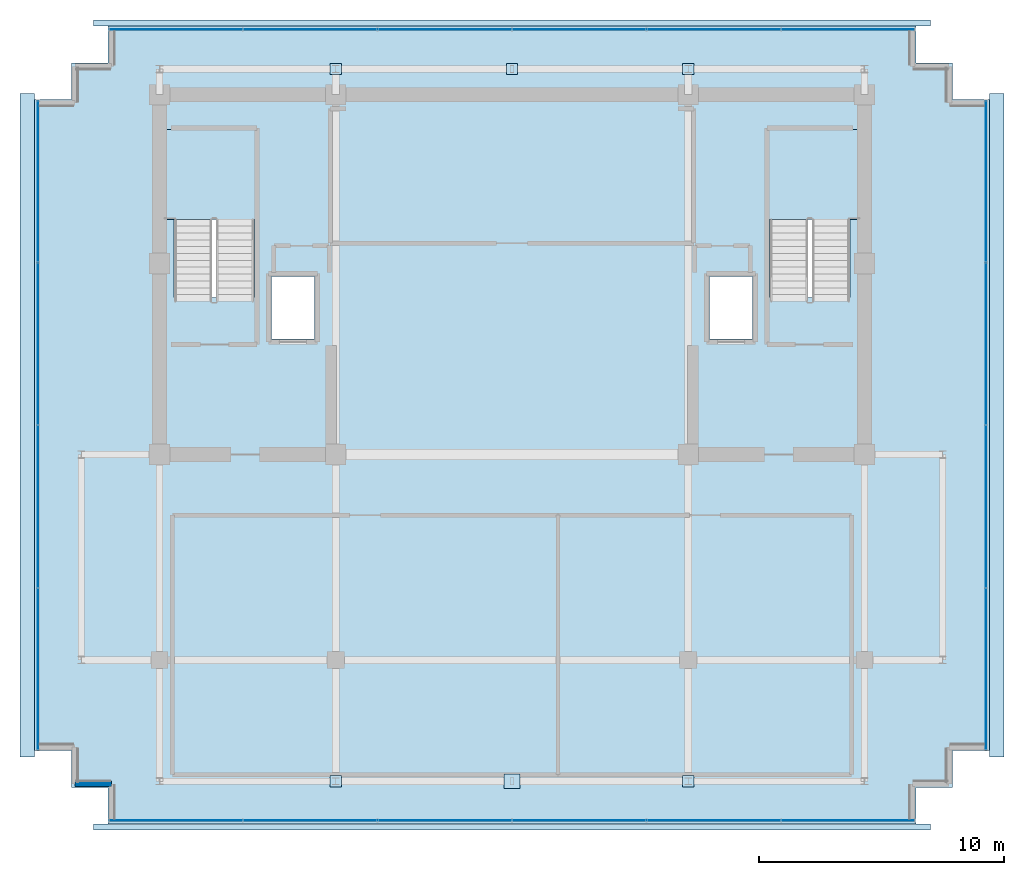
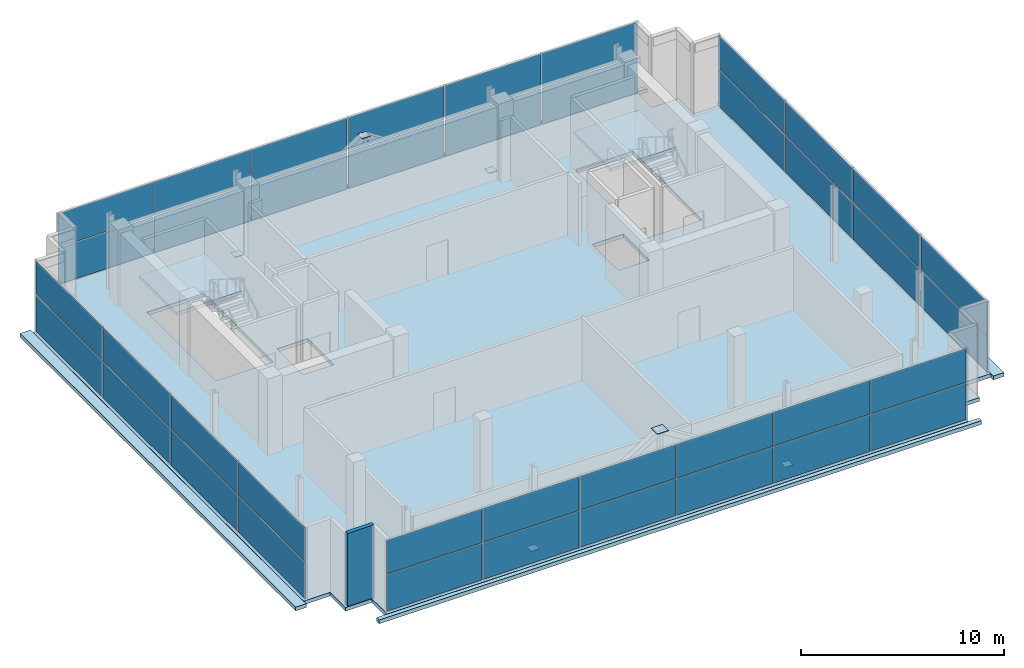
# One storey, part 22 of 26: 46 plates, 7 slabs, 1 wall, 6 elements without a shape of their own.
"""IFC4 building model written with IfcOpenShell, lengths in metres."""

from ifc_helpers import new_model, si_unit, direction, frame, frame_2d, origin, origin_2d, place, context, subcontext, project, spatial, polyline, rectangle, outline, extrude, source, transform, mapped, material, layer, layer_set, type_object, element, aggregate, save


model = new_model("IFC4")

# Units and contexts
model_context = context("Model", 3, precision=1e-05, world=origin(), true_north=direction((0.0, 1.0)))
body_context = subcontext(model_context, "Body", "Model", "MODEL_VIEW")
ifc_project = project(units=[si_unit("LENGTHUNIT", "METRE"), si_unit("AREAUNIT", "SQUARE_METRE"), si_unit("VOLUMEUNIT", "CUBIC_METRE"), si_unit("PLANEANGLEUNIT", "RADIAN"), si_unit("MASSUNIT", "GRAM", prefix="KILO")], contexts=[model_context])

# Site, building, storey
site_placement = place(None, origin())
site = spatial("IfcSite", under=ifc_project, at=site_placement, CompositionType="ELEMENT")
building_placement = place(site_placement, origin())
building = spatial("IfcBuilding", under=site, at=building_placement, Name="Zarnakvel Exchange Tower", CompositionType="ELEMENT")
storey_placement = place(building_placement, frame((0.0, 0.0, 280.800048828125)))
storey = spatial("IfcBuildingStorey", under=building, at=storey_placement, Name="Crown L79", CompositionType="ELEMENT", Elevation=280.800048828125)

# Stair, slab
ifc_material_1 = material(Name="Concrete C40/50", Category="concrete")
stair_type = type_object("IfcStairType", Name="STR-01", PredefinedType="HALF_TURN_STAIR", material=ifc_material_1)
stair_1_placement = place(storey_placement, origin())
stair_1 = element("IfcStair", 1, at=stair_1_placement, inside=storey, type_object=stair_type, Name="Crown L79 Protected Core Exit Stair ST-01", PredefinedType="HALF_TURN_STAIR")
ifc_layer_1 = layer(ifc_material_1, 0.199951171875)
ifc_layer_set_1 = layer_set([ifc_layer_1], Name="Concrete C40/50")
slab_type_1 = type_object("IfcSlabType", Name="LDG-01", PredefinedType="LANDING", material=ifc_layer_set_1)
slab_1_placement = place(storey_placement, frame((0.0, 0.0, 2.099853515625)))
slab_1 = element("IfcSlab", 2, at=slab_1_placement, type_object=slab_type_1, Name="ST-01 landing 1", PredefinedType="LANDING", context=body_context, shape_type="SweptSolid", body=[
    extrude(outline(polyline([(-14.18994140625, 8.409912109375), (-10.4599609375, 8.409912109375), (-10.4599609375, 12.080078125), (-14.18994140625, 12.080078125), (-14.18994140625, 8.409912109375)])), origin(), (0.0, 0.0, 1.0), 0.2001953125),
])
aggregate(stair_1, [slab_1])

stair_2_placement = place(storey_placement, origin())
stair_2 = element("IfcStair", 3, at=stair_2_placement, inside=storey, type_object=stair_type, Name="Crown L79 Protected Core Exit Stair ST-02", PredefinedType="HALF_TURN_STAIR")
slab_2_placement = place(storey_placement, frame((0.0, 0.0, 2.099853515625)))
slab_2 = element("IfcSlab", 4, at=slab_2_placement, type_object=slab_type_1, Name="ST-02 landing 1", PredefinedType="LANDING", context=body_context, shape_type="SweptSolid", body=[
    extrude(outline(polyline([(10.4599609375, 8.409912109375), (14.18994140625, 8.409912109375), (14.18994140625, 12.080078125), (10.4599609375, 12.080078125), (10.4599609375, 8.409912109375)])), origin(), (0.0, 0.0, 1.0), 0.2001953125),
])
aggregate(stair_2, [slab_2])

# Slabs
ifc_layer_2 = layer(ifc_material_1, 0.22998046875)
ifc_layer_set_2 = layer_set([ifc_layer_2], Name="Concrete C40/50")
slab_type_2 = type_object("IfcSlabType", Name="RF-SL1", PredefinedType="ROOF", material=ifc_layer_set_2)
slab_3_placement = place(storey_placement, frame((0.0, 0.0, -0.22998046875)))
element("IfcSlab", 5, at=slab_3_placement, inside=storey, type_object=slab_type_2, Name="Crown L79 Stepped Crown Tier Roof Slab #1", PredefinedType="ROOF", context=body_context, shape_type="SweptSolid", body=[
    extrude(outline(polyline([(17.10009765625, -16.550048828125), (-17.10009765625, -16.550048828125), (-17.10009765625, -16.300048828125), (-16.510009765625, -16.300048828125), (-16.510009765625, -16.31005859375), (16.510009765625, -16.31005859375), (16.510009765625, -16.300048828125), (17.10009765625, -16.300048828125), (17.10009765625, -16.550048828125)])), origin(), (0.0, 0.0, 1.0), 0.22998046875),
])
slab_4_placement = place(storey_placement, frame((0.0, 0.0, -0.22998046875)))
element("IfcSlab", 6, at=slab_4_placement, inside=storey, type_object=slab_type_2, Name="Crown L79 Stepped Crown Tier Roof Slab #2", PredefinedType="ROOF", context=body_context, shape_type="SweptSolid", body=[
    extrude(outline(polyline([(-17.10009765625, 16.550048828125), (17.10009765625, 16.550048828125), (17.10009765625, 16.300048828125), (16.510009765625, 16.300048828125), (16.510009765625, 16.31005859375), (-16.510009765625, 16.31005859375), (-16.510009765625, 16.300048828125), (-17.10009765625, 16.300048828125), (-17.10009765625, 16.550048828125)])), origin(), (0.0, 0.0, 1.0), 0.22998046875),
])
slab_5_placement = place(storey_placement, frame((0.0, 0.0, -0.22998046875)))
element("IfcSlab", 7, at=slab_5_placement, inside=storey, type_object=slab_type_2, Name="Crown L79 Stepped Crown Tier Roof Slab #3", PredefinedType="ROOF", context=body_context, shape_type="SweptSolid", body=[
    extrude(outline(polyline([(-19.5, 13.550048828125), (-19.5, 13.31005859375), (-19.510009765625, 13.31005859375), (-19.510009765625, -13.31005859375), (-19.5, -13.31005859375), (-19.5, -13.550048828125), (-20.10009765625, -13.550048828125), (-20.10009765625, 13.550048828125), (-19.5, 13.550048828125)])), origin(), (0.0, 0.0, 1.0), 0.22998046875),
])
slab_6_placement = place(storey_placement, frame((0.0, 0.0, -0.22998046875)))
element("IfcSlab", 8, at=slab_6_placement, inside=storey, type_object=slab_type_2, Name="Crown L79 Stepped Crown Tier Roof Slab #4", PredefinedType="ROOF", context=body_context, shape_type="SweptSolid", body=[
    extrude(outline(polyline([(20.10009765625, 13.550048828125), (20.10009765625, -13.550048828125), (19.5, -13.550048828125), (19.5, -13.31005859375), (19.510009765625, -13.31005859375), (19.510009765625, 13.31005859375), (19.5, 13.31005859375), (19.5, 13.550048828125), (20.10009765625, 13.550048828125)])), origin(), (0.0, 0.0, 1.0), 0.22998046875),
])
ifc_layer_3 = layer(ifc_material_1, 0.219970703125)
ifc_layer_set_3 = layer_set([ifc_layer_3], Name="Concrete C40/50")
slab_type_3 = type_object("IfcSlabType", Name="SL-05", PredefinedType="FLOOR", material=ifc_layer_set_3)
slab_7_placement = place(storey_placement, frame((0.0, 0.0, -0.219970703125)))
element("IfcSlab", 9, at=slab_7_placement, inside=storey, type_object=slab_type_3, Name="Crown L79 Primary Structural Floor Slab", PredefinedType="FLOOR", context=body_context, shape_type="SweptSolid", body=[
    extrude(outline(polyline([(-19.5, -13.300048828125), (-18.0, -13.300048828125), (-18.0, -14.800048828125), (-16.5, -14.800048828125), (-16.5, -16.300048828125), (16.5, -16.300048828125), (16.5, -14.800048828125), (18.0, -14.800048828125), (18.0, -13.300048828125), (19.5, -13.300048828125), (19.5, 13.300048828125), (18.0, 13.300048828125), (18.0, 14.800048828125), (16.5, 14.800048828125), (16.5, 16.300048828125), (-16.5, 16.300048828125), (-16.5, 14.800048828125), (-18.0, 14.800048828125), (-18.0, 13.300048828125), (-19.5, 13.300048828125), (-19.5, -13.300048828125)]), holes=[polyline([(-13.800048828125, 5.2099609375), (-10.5400390625, 5.2099609375), (-10.5400390625, 12.0), (-13.800048828125, 12.0), (-13.800048828125, 5.2099609375)]), polyline([(10.5400390625, 5.2099609375), (13.800048828125, 5.2099609375), (13.800048828125, 12.0), (10.5400390625, 12.0), (10.5400390625, 5.2099609375)]), polyline([(-9.830078125, 3.52001953125), (-8.070068359375, 3.52001953125), (-8.070068359375, 6.080078125), (-9.830078125, 6.080078125), (-9.830078125, 3.52001953125)]), polyline([(8.070068359375, 3.52001953125), (9.830078125, 3.52001953125), (9.830078125, 6.080078125), (8.070068359375, 6.080078125), (8.070068359375, 3.52001953125)])]), origin(), (0.0, 0.0, 1.0), 0.219970703125),
])

# Plates
ifc_material_2 = material(Name="Steel S355", Category="steel")
ifc_layer_4 = layer(ifc_material_2, 0.028076171875)
ifc_layer_set_4 = layer_set([ifc_layer_4], Name="Steel S355")
plate_type_1 = type_object("IfcPlateType", Name="VN3", PredefinedType="USERDEFINED", material=ifc_layer_set_4)
shared_shape_1 = source(origin(), body_context, "Body", "SweptSolid", [
    extrude(rectangle(XDim=0.64990234375, YDim=0.60009765625, at=origin_2d()), origin(), (0.0, 0.0, 1.0), 0.028076171875),
])
plate_1_placement = place(storey_placement, frame((0.0, -14.550048828125, 4.22607421875), z_axis=(0.0, 0.0, 1.0), x_axis=(1.0, 0.0, 0.0)))
element("IfcPlate", 10, at=plate_1_placement, inside=storey, type_object=plate_type_1, Name="Crown L79 Stepped Crown Gusset VN3", ObjectType="GUSSET_PLATE", PredefinedType="USERDEFINED", context=body_context, shape_type="MappedRepresentation", body=[
    mapped(shared_shape_1, transform((0.0, 0.0, 0.0), x_axis=(1.0, 0.0, 0.0), y_axis=(0.0, 1.0, 0.0), z_axis=(0.0, 0.0, 1.0), scale=1.0)),
])
ifc_layer_5 = layer(ifc_material_2, 0.028076171875)
ifc_layer_set_5 = layer_set([ifc_layer_5], Name="Steel S355")
plate_type_2 = type_object("IfcPlateType", Name="BP-02", PredefinedType="USERDEFINED", material=ifc_layer_set_5)
shared_shape_2 = source(origin(), body_context, "Body", "SweptSolid", [
    extrude(rectangle(XDim=0.4599609375, YDim=0.4599609375, at=origin_2d()), origin(), (0.0, 0.0, 1.0), 0.028076171875),
])
for number, where, z_axis, x_axis, name in (
    (11, (-7.199951171875, -14.550048828125, -0.3740234375), (0.0, 0.0, 1.0), (1.0, 0.0, 0.0), "Crown L79 Crown Member End Cap Plate"),
    (12, (7.199951171875, -14.550048828125, -0.3740234375), (0.0, 0.0, 1.0), (1.0, 0.0, 0.0), "Crown L79 Crown Member End Cap Plate"),
    (13, (-7.199951171875, 14.550048828125, -0.3740234375), (0.0, 0.0, 1.0), (1.0, 0.0, 0.0), "Crown L79 Crown Member End Cap Plate"),
    (14, (0.0, 14.550048828125, 4.22607421875), (0.0, 0.0, 1.0), (1.0, 0.0, 0.0), "Crown L79 Crown Member End Cap Plate"),
    (15, (7.199951171875, 14.550048828125, -0.3740234375), (0.0, 0.0, 1.0), (1.0, 0.0, 0.0), "Crown L79 Crown Member End Cap Plate"),
):
    element("IfcPlate", number, at=place(storey_placement, frame(where, z_axis=z_axis, x_axis=x_axis)), inside=storey, type_object=plate_type_2, Name=name, ObjectType="BASE_PLATE", PredefinedType="USERDEFINED", context=body_context, shape_type="MappedRepresentation", body=[
        mapped(shared_shape_2, transform((0.0, 0.0, 0.0), x_axis=(1.0, 0.0, 0.0), y_axis=(0.0, 1.0, 0.0), z_axis=(0.0, 0.0, 1.0), scale=1.0)),
    ])

# Curtain wall, plates
ifc_material_3 = material(Name="Architectural Bronze Anodised Aluminium", Category="aluminium")
ifc_layer_6 = layer(ifc_material_3, 0.14990234375)
ifc_layer_set_6 = layer_set([ifc_layer_6], Name="Architectural Bronze Anodised Aluminium")
curtain_wall_type = type_object("IfcCurtainWallType", Name="CW-07", PredefinedType="NOTDEFINED", material=ifc_layer_set_6)
curtain_wall_1_placement = place(storey_placement, origin())
curtain_wall_1 = element("IfcCurtainWall", 16, at=curtain_wall_1_placement, inside=storey, type_object=curtain_wall_type, Name="Crown L79 Curtain Wall CW-Crown L79-S (CW-07)", PredefinedType="NOTDEFINED")
ifc_material_4 = material(Name="Insulated Bronze Aluminium Spandrel Panel", Category="aluminium")
ifc_layer_7 = layer(ifc_material_4, 0.02392578125)
ifc_layer_set_7 = layer_set([ifc_layer_7], Name="Insulated Bronze Aluminium Spandrel Panel")
plate_type_3 = type_object("IfcPlateType", Name="CWP-07", PredefinedType="CURTAIN_PANEL", material=ifc_layer_set_7)
shared_shape_3 = source(origin(), body_context, "Body", "SweptSolid", [
    extrude(rectangle(XDim=5.409912109375, YDim=0.02392578125, at=origin_2d()), origin(), (0.0, 0.0, 1.0), 2.17724609375),
])
plate_2_placement = place(storey_placement, frame((-13.735107421875, -16.159912109375, 0.059814453125), z_axis=(0.0, 0.0, 1.0), x_axis=(1.0, 0.0, 0.0)))
plate_2 = element("IfcPlate", 17, at=plate_2_placement, type_object=plate_type_3, Name="CW-07 panel 1.1", PredefinedType="CURTAIN_PANEL", context=body_context, shape_type="MappedRepresentation", body=[
    mapped(shared_shape_3, transform((0.0, 0.0, 0.0), x_axis=(1.0, 0.0, 0.0), y_axis=(0.0, 1.0, 0.0), z_axis=(0.0, 0.0, 1.0), scale=1.0)),
])
plate_3_placement = place(storey_placement, frame((13.735107421875, -16.159912109375, 0.059814453125), z_axis=(0.0, 0.0, 1.0), x_axis=(1.0, 0.0, 0.0)))
plate_3 = element("IfcPlate", 18, at=plate_3_placement, type_object=plate_type_3, Name="CW-07 panel 6.1", PredefinedType="CURTAIN_PANEL", context=body_context, shape_type="MappedRepresentation", body=[
    mapped(shared_shape_3, transform((0.0, 0.0, 0.0), x_axis=(1.0, 0.0, 0.0), y_axis=(0.0, 1.0, 0.0), z_axis=(0.0, 0.0, 1.0), scale=1.0)),
])

curtain_wall_2_placement = place(storey_placement, origin())
curtain_wall_2 = element("IfcCurtainWall", 19, at=curtain_wall_2_placement, inside=storey, type_object=curtain_wall_type, Name="Crown L79 Curtain Wall CW-Crown L79-N (CW-07)", PredefinedType="NOTDEFINED")
plate_4_placement = place(storey_placement, frame((-13.735107421875, 16.159912109375, 0.059814453125), z_axis=(0.0, 0.0, 1.0), x_axis=(1.0, 0.0, 0.0)))
plate_4 = element("IfcPlate", 20, at=plate_4_placement, type_object=plate_type_3, Name="CW-07 panel 1.1", PredefinedType="CURTAIN_PANEL", context=body_context, shape_type="MappedRepresentation", body=[
    mapped(shared_shape_3, transform((0.0, 0.0, 0.0), x_axis=(1.0, 0.0, 0.0), y_axis=(0.0, 1.0, 0.0), z_axis=(0.0, 0.0, 1.0), scale=1.0)),
])
plate_5_placement = place(storey_placement, frame((13.735107421875, 16.159912109375, 0.059814453125), z_axis=(0.0, 0.0, 1.0), x_axis=(1.0, 0.0, 0.0)))
plate_5 = element("IfcPlate", 21, at=plate_5_placement, type_object=plate_type_3, Name="CW-07 panel 6.1", PredefinedType="CURTAIN_PANEL", context=body_context, shape_type="MappedRepresentation", body=[
    mapped(shared_shape_3, transform((0.0, 0.0, 0.0), x_axis=(1.0, 0.0, 0.0), y_axis=(0.0, 1.0, 0.0), z_axis=(0.0, 0.0, 1.0), scale=1.0)),
])

# Plate
shared_shape_4 = source(origin(), body_context, "Body", "SweptSolid", [
    extrude(rectangle(XDim=5.409912109375, YDim=0.02392578125, at=origin_2d()), origin(), (0.0, 0.0, 1.0), 2.002685546875),
])
plate_6_placement = place(storey_placement, frame((-13.735107421875, -16.159912109375, 2.29736328125), z_axis=(0.0, 0.0, 1.0), x_axis=(1.0, 0.0, 0.0)))
plate_6 = element("IfcPlate", 22, at=plate_6_placement, type_object=plate_type_3, Name="CW-07 panel 1.2", PredefinedType="CURTAIN_PANEL", context=body_context, shape_type="MappedRepresentation", body=[
    mapped(shared_shape_4, transform((0.0, 0.0, 0.0), x_axis=(1.0, 0.0, 0.0), y_axis=(0.0, 1.0, 0.0), z_axis=(0.0, 0.0, 1.0), scale=1.0)),
])

plate_7_placement = place(storey_placement, frame((13.735107421875, -16.159912109375, 2.29736328125), z_axis=(0.0, 0.0, 1.0), x_axis=(1.0, 0.0, 0.0)))
plate_7 = element("IfcPlate", 23, at=plate_7_placement, type_object=plate_type_3, Name="CW-07 panel 6.2", PredefinedType="CURTAIN_PANEL", context=body_context, shape_type="MappedRepresentation", body=[
    mapped(shared_shape_4, transform((0.0, 0.0, 0.0), x_axis=(1.0, 0.0, 0.0), y_axis=(0.0, 1.0, 0.0), z_axis=(0.0, 0.0, 1.0), scale=1.0)),
])

plate_8_placement = place(storey_placement, frame((-13.735107421875, 16.159912109375, 2.29736328125), z_axis=(0.0, 0.0, 1.0), x_axis=(1.0, 0.0, 0.0)))
plate_8 = element("IfcPlate", 24, at=plate_8_placement, type_object=plate_type_3, Name="CW-07 panel 1.2", PredefinedType="CURTAIN_PANEL", context=body_context, shape_type="MappedRepresentation", body=[
    mapped(shared_shape_4, transform((0.0, 0.0, 0.0), x_axis=(1.0, 0.0, 0.0), y_axis=(0.0, 1.0, 0.0), z_axis=(0.0, 0.0, 1.0), scale=1.0)),
])

plate_9_placement = place(storey_placement, frame((13.735107421875, 16.159912109375, 2.29736328125), z_axis=(0.0, 0.0, 1.0), x_axis=(1.0, 0.0, 0.0)))
plate_9 = element("IfcPlate", 25, at=plate_9_placement, type_object=plate_type_3, Name="CW-07 panel 6.2", PredefinedType="CURTAIN_PANEL", context=body_context, shape_type="MappedRepresentation", body=[
    mapped(shared_shape_4, transform((0.0, 0.0, 0.0), x_axis=(1.0, 0.0, 0.0), y_axis=(0.0, 1.0, 0.0), z_axis=(0.0, 0.0, 1.0), scale=1.0)),
])

shared_shape_5 = source(origin(), body_context, "Body", "SweptSolid", [
    extrude(rectangle(XDim=5.43994140625, YDim=0.02392578125, at=origin_2d()), origin(), (0.0, 0.0, 1.0), 2.17724609375),
])
plate_10_placement = place(storey_placement, frame((-8.25, -16.159912109375, 0.059814453125), z_axis=(0.0, 0.0, 1.0), x_axis=(1.0, 0.0, 0.0)))
plate_10 = element("IfcPlate", 26, at=plate_10_placement, type_object=plate_type_3, Name="CW-07 panel 2.1", PredefinedType="CURTAIN_PANEL", context=body_context, shape_type="MappedRepresentation", body=[
    mapped(shared_shape_5, transform((0.0, 0.0, 0.0), x_axis=(1.0, 0.0, 0.0), y_axis=(0.0, 1.0, 0.0), z_axis=(0.0, 0.0, 1.0), scale=1.0)),
])

plate_11_placement = place(storey_placement, frame((-2.75, -16.159912109375, 0.059814453125), z_axis=(0.0, 0.0, 1.0), x_axis=(1.0, 0.0, 0.0)))
plate_11 = element("IfcPlate", 27, at=plate_11_placement, type_object=plate_type_3, Name="CW-07 panel 3.1", PredefinedType="CURTAIN_PANEL", context=body_context, shape_type="MappedRepresentation", body=[
    mapped(shared_shape_5, transform((0.0, 0.0, 0.0), x_axis=(1.0, 0.0, 0.0), y_axis=(0.0, 1.0, 0.0), z_axis=(0.0, 0.0, 1.0), scale=1.0)),
])

plate_12_placement = place(storey_placement, frame((2.75, -16.159912109375, 0.059814453125), z_axis=(0.0, 0.0, 1.0), x_axis=(1.0, 0.0, 0.0)))
plate_12 = element("IfcPlate", 28, at=plate_12_placement, type_object=plate_type_3, Name="CW-07 panel 4.1", PredefinedType="CURTAIN_PANEL", context=body_context, shape_type="MappedRepresentation", body=[
    mapped(shared_shape_5, transform((0.0, 0.0, 0.0), x_axis=(1.0, 0.0, 0.0), y_axis=(0.0, 1.0, 0.0), z_axis=(0.0, 0.0, 1.0), scale=1.0)),
])

plate_13_placement = place(storey_placement, frame((8.25, -16.159912109375, 0.059814453125), z_axis=(0.0, 0.0, 1.0), x_axis=(1.0, 0.0, 0.0)))
plate_13 = element("IfcPlate", 29, at=plate_13_placement, type_object=plate_type_3, Name="CW-07 panel 5.1", PredefinedType="CURTAIN_PANEL", context=body_context, shape_type="MappedRepresentation", body=[
    mapped(shared_shape_5, transform((0.0, 0.0, 0.0), x_axis=(1.0, 0.0, 0.0), y_axis=(0.0, 1.0, 0.0), z_axis=(0.0, 0.0, 1.0), scale=1.0)),
])

plate_14_placement = place(storey_placement, frame((-8.25, 16.159912109375, 0.059814453125), z_axis=(0.0, 0.0, 1.0), x_axis=(1.0, 0.0, 0.0)))
plate_14 = element("IfcPlate", 30, at=plate_14_placement, type_object=plate_type_3, Name="CW-07 panel 2.1", PredefinedType="CURTAIN_PANEL", context=body_context, shape_type="MappedRepresentation", body=[
    mapped(shared_shape_5, transform((0.0, 0.0, 0.0), x_axis=(1.0, 0.0, 0.0), y_axis=(0.0, 1.0, 0.0), z_axis=(0.0, 0.0, 1.0), scale=1.0)),
])

plate_15_placement = place(storey_placement, frame((-2.75, 16.159912109375, 0.059814453125), z_axis=(0.0, 0.0, 1.0), x_axis=(1.0, 0.0, 0.0)))
plate_15 = element("IfcPlate", 31, at=plate_15_placement, type_object=plate_type_3, Name="CW-07 panel 3.1", PredefinedType="CURTAIN_PANEL", context=body_context, shape_type="MappedRepresentation", body=[
    mapped(shared_shape_5, transform((0.0, 0.0, 0.0), x_axis=(1.0, 0.0, 0.0), y_axis=(0.0, 1.0, 0.0), z_axis=(0.0, 0.0, 1.0), scale=1.0)),
])

plate_16_placement = place(storey_placement, frame((2.75, 16.159912109375, 0.059814453125), z_axis=(0.0, 0.0, 1.0), x_axis=(1.0, 0.0, 0.0)))
plate_16 = element("IfcPlate", 32, at=plate_16_placement, type_object=plate_type_3, Name="CW-07 panel 4.1", PredefinedType="CURTAIN_PANEL", context=body_context, shape_type="MappedRepresentation", body=[
    mapped(shared_shape_5, transform((0.0, 0.0, 0.0), x_axis=(1.0, 0.0, 0.0), y_axis=(0.0, 1.0, 0.0), z_axis=(0.0, 0.0, 1.0), scale=1.0)),
])

plate_17_placement = place(storey_placement, frame((8.25, 16.159912109375, 0.059814453125), z_axis=(0.0, 0.0, 1.0), x_axis=(1.0, 0.0, 0.0)))
plate_17 = element("IfcPlate", 33, at=plate_17_placement, type_object=plate_type_3, Name="CW-07 panel 5.1", PredefinedType="CURTAIN_PANEL", context=body_context, shape_type="MappedRepresentation", body=[
    mapped(shared_shape_5, transform((0.0, 0.0, 0.0), x_axis=(1.0, 0.0, 0.0), y_axis=(0.0, 1.0, 0.0), z_axis=(0.0, 0.0, 1.0), scale=1.0)),
])

shared_shape_6 = source(origin(), body_context, "Body", "SweptSolid", [
    extrude(rectangle(XDim=5.43994140625, YDim=0.02392578125, at=origin_2d()), origin(), (0.0, 0.0, 1.0), 2.002685546875),
])
plate_18_placement = place(storey_placement, frame((-8.25, -16.159912109375, 2.29736328125), z_axis=(0.0, 0.0, 1.0), x_axis=(1.0, 0.0, 0.0)))
plate_18 = element("IfcPlate", 34, at=plate_18_placement, type_object=plate_type_3, Name="CW-07 panel 2.2", PredefinedType="CURTAIN_PANEL", context=body_context, shape_type="MappedRepresentation", body=[
    mapped(shared_shape_6, transform((0.0, 0.0, 0.0), x_axis=(1.0, 0.0, 0.0), y_axis=(0.0, 1.0, 0.0), z_axis=(0.0, 0.0, 1.0), scale=1.0)),
])

plate_19_placement = place(storey_placement, frame((-2.75, -16.159912109375, 2.29736328125), z_axis=(0.0, 0.0, 1.0), x_axis=(1.0, 0.0, 0.0)))
plate_19 = element("IfcPlate", 35, at=plate_19_placement, type_object=plate_type_3, Name="CW-07 panel 3.2", PredefinedType="CURTAIN_PANEL", context=body_context, shape_type="MappedRepresentation", body=[
    mapped(shared_shape_6, transform((0.0, 0.0, 0.0), x_axis=(1.0, 0.0, 0.0), y_axis=(0.0, 1.0, 0.0), z_axis=(0.0, 0.0, 1.0), scale=1.0)),
])

plate_20_placement = place(storey_placement, frame((2.75, -16.159912109375, 2.29736328125), z_axis=(0.0, 0.0, 1.0), x_axis=(1.0, 0.0, 0.0)))
plate_20 = element("IfcPlate", 36, at=plate_20_placement, type_object=plate_type_3, Name="CW-07 panel 4.2", PredefinedType="CURTAIN_PANEL", context=body_context, shape_type="MappedRepresentation", body=[
    mapped(shared_shape_6, transform((0.0, 0.0, 0.0), x_axis=(1.0, 0.0, 0.0), y_axis=(0.0, 1.0, 0.0), z_axis=(0.0, 0.0, 1.0), scale=1.0)),
])

plate_21_placement = place(storey_placement, frame((8.25, -16.159912109375, 2.29736328125), z_axis=(0.0, 0.0, 1.0), x_axis=(1.0, 0.0, 0.0)))
plate_21 = element("IfcPlate", 37, at=plate_21_placement, type_object=plate_type_3, Name="CW-07 panel 5.2", PredefinedType="CURTAIN_PANEL", context=body_context, shape_type="MappedRepresentation", body=[
    mapped(shared_shape_6, transform((0.0, 0.0, 0.0), x_axis=(1.0, 0.0, 0.0), y_axis=(0.0, 1.0, 0.0), z_axis=(0.0, 0.0, 1.0), scale=1.0)),
])

aggregate(curtain_wall_1, [plate_2, plate_6, plate_10, plate_18, plate_11, plate_19, plate_12, plate_20, plate_13, plate_21, plate_3, plate_7])

plate_22_placement = place(storey_placement, frame((-8.25, 16.159912109375, 2.29736328125), z_axis=(0.0, 0.0, 1.0), x_axis=(1.0, 0.0, 0.0)))
plate_22 = element("IfcPlate", 38, at=plate_22_placement, type_object=plate_type_3, Name="CW-07 panel 2.2", PredefinedType="CURTAIN_PANEL", context=body_context, shape_type="MappedRepresentation", body=[
    mapped(shared_shape_6, transform((0.0, 0.0, 0.0), x_axis=(1.0, 0.0, 0.0), y_axis=(0.0, 1.0, 0.0), z_axis=(0.0, 0.0, 1.0), scale=1.0)),
])

plate_23_placement = place(storey_placement, frame((-2.75, 16.159912109375, 2.29736328125), z_axis=(0.0, 0.0, 1.0), x_axis=(1.0, 0.0, 0.0)))
plate_23 = element("IfcPlate", 39, at=plate_23_placement, type_object=plate_type_3, Name="CW-07 panel 3.2", PredefinedType="CURTAIN_PANEL", context=body_context, shape_type="MappedRepresentation", body=[
    mapped(shared_shape_6, transform((0.0, 0.0, 0.0), x_axis=(1.0, 0.0, 0.0), y_axis=(0.0, 1.0, 0.0), z_axis=(0.0, 0.0, 1.0), scale=1.0)),
])

plate_24_placement = place(storey_placement, frame((2.75, 16.159912109375, 2.29736328125), z_axis=(0.0, 0.0, 1.0), x_axis=(1.0, 0.0, 0.0)))
plate_24 = element("IfcPlate", 40, at=plate_24_placement, type_object=plate_type_3, Name="CW-07 panel 4.2", PredefinedType="CURTAIN_PANEL", context=body_context, shape_type="MappedRepresentation", body=[
    mapped(shared_shape_6, transform((0.0, 0.0, 0.0), x_axis=(1.0, 0.0, 0.0), y_axis=(0.0, 1.0, 0.0), z_axis=(0.0, 0.0, 1.0), scale=1.0)),
])

plate_25_placement = place(storey_placement, frame((8.25, 16.159912109375, 2.29736328125), z_axis=(0.0, 0.0, 1.0), x_axis=(1.0, 0.0, 0.0)))
plate_25 = element("IfcPlate", 41, at=plate_25_placement, type_object=plate_type_3, Name="CW-07 panel 5.2", PredefinedType="CURTAIN_PANEL", context=body_context, shape_type="MappedRepresentation", body=[
    mapped(shared_shape_6, transform((0.0, 0.0, 0.0), x_axis=(1.0, 0.0, 0.0), y_axis=(0.0, 1.0, 0.0), z_axis=(0.0, 0.0, 1.0), scale=1.0)),
])

aggregate(curtain_wall_2, [plate_4, plate_8, plate_14, plate_22, plate_15, plate_23, plate_16, plate_24, plate_17, plate_25, plate_5, plate_9])

# Curtain wall, plates
curtain_wall_3_placement = place(storey_placement, origin())
curtain_wall_3 = element("IfcCurtainWall", 42, at=curtain_wall_3_placement, inside=storey, type_object=curtain_wall_type, Name="Crown L79 Curtain Wall CW-Crown L79-W (CW-07)", PredefinedType="NOTDEFINED")
shared_shape_7 = source(origin(), body_context, "Body", "SweptSolid", [
    extrude(rectangle(XDim=6.56005859375, YDim=0.02392578125, at=origin_2d()), origin(), (0.0, 0.0, 1.0), 2.17724609375),
])
plate_26_placement = place(storey_placement, frame((-19.360107421875, -9.9599609375, 0.059814453125), z_axis=(0.0, 0.0, 1.0), x_axis=(0.0, 1.0, 0.0)))
plate_26 = element("IfcPlate", 43, at=plate_26_placement, type_object=plate_type_3, Name="CW-07 panel 1.1", PredefinedType="CURTAIN_PANEL", context=body_context, shape_type="MappedRepresentation", body=[
    mapped(shared_shape_7, transform((0.0, 0.0, 0.0), x_axis=(1.0, 0.0, 0.0), y_axis=(0.0, 1.0, 0.0), z_axis=(0.0, 0.0, 1.0), scale=1.0)),
])
plate_27_placement = place(storey_placement, frame((-19.360107421875, 9.9599609375, 0.059814453125), z_axis=(0.0, 0.0, 1.0), x_axis=(0.0, 1.0, 0.0)))
plate_27 = element("IfcPlate", 44, at=plate_27_placement, type_object=plate_type_3, Name="CW-07 panel 4.1", PredefinedType="CURTAIN_PANEL", context=body_context, shape_type="MappedRepresentation", body=[
    mapped(shared_shape_7, transform((0.0, 0.0, 0.0), x_axis=(1.0, 0.0, 0.0), y_axis=(0.0, 1.0, 0.0), z_axis=(0.0, 0.0, 1.0), scale=1.0)),
])

curtain_wall_4_placement = place(storey_placement, origin())
curtain_wall_4 = element("IfcCurtainWall", 45, at=curtain_wall_4_placement, inside=storey, type_object=curtain_wall_type, Name="Crown L79 Curtain Wall CW-Crown L79-E (CW-07)", PredefinedType="NOTDEFINED")
plate_28_placement = place(storey_placement, frame((19.360107421875, -9.9599609375, 0.059814453125), z_axis=(0.0, 0.0, 1.0), x_axis=(0.0, 1.0, 0.0)))
plate_28 = element("IfcPlate", 46, at=plate_28_placement, type_object=plate_type_3, Name="CW-07 panel 1.1", PredefinedType="CURTAIN_PANEL", context=body_context, shape_type="MappedRepresentation", body=[
    mapped(shared_shape_7, transform((0.0, 0.0, 0.0), x_axis=(1.0, 0.0, 0.0), y_axis=(0.0, 1.0, 0.0), z_axis=(0.0, 0.0, 1.0), scale=1.0)),
])
plate_29_placement = place(storey_placement, frame((19.360107421875, 9.9599609375, 0.059814453125), z_axis=(0.0, 0.0, 1.0), x_axis=(0.0, 1.0, 0.0)))
plate_29 = element("IfcPlate", 47, at=plate_29_placement, type_object=plate_type_3, Name="CW-07 panel 4.1", PredefinedType="CURTAIN_PANEL", context=body_context, shape_type="MappedRepresentation", body=[
    mapped(shared_shape_7, transform((0.0, 0.0, 0.0), x_axis=(1.0, 0.0, 0.0), y_axis=(0.0, 1.0, 0.0), z_axis=(0.0, 0.0, 1.0), scale=1.0)),
])

# Plate
shared_shape_8 = source(origin(), body_context, "Body", "SweptSolid", [
    extrude(rectangle(XDim=6.56005859375, YDim=0.02392578125, at=origin_2d()), origin(), (0.0, 0.0, 1.0), 2.002685546875),
])
plate_30_placement = place(storey_placement, frame((-19.360107421875, -9.9599609375, 2.29736328125), z_axis=(0.0, 0.0, 1.0), x_axis=(0.0, 1.0, 0.0)))
plate_30 = element("IfcPlate", 48, at=plate_30_placement, type_object=plate_type_3, Name="CW-07 panel 1.2", PredefinedType="CURTAIN_PANEL", context=body_context, shape_type="MappedRepresentation", body=[
    mapped(shared_shape_8, transform((0.0, 0.0, 0.0), x_axis=(1.0, 0.0, 0.0), y_axis=(0.0, 1.0, 0.0), z_axis=(0.0, 0.0, 1.0), scale=1.0)),
])

plate_31_placement = place(storey_placement, frame((-19.360107421875, 9.9599609375, 2.29736328125), z_axis=(0.0, 0.0, 1.0), x_axis=(0.0, 1.0, 0.0)))
plate_31 = element("IfcPlate", 49, at=plate_31_placement, type_object=plate_type_3, Name="CW-07 panel 4.2", PredefinedType="CURTAIN_PANEL", context=body_context, shape_type="MappedRepresentation", body=[
    mapped(shared_shape_8, transform((0.0, 0.0, 0.0), x_axis=(1.0, 0.0, 0.0), y_axis=(0.0, 1.0, 0.0), z_axis=(0.0, 0.0, 1.0), scale=1.0)),
])

plate_32_placement = place(storey_placement, frame((19.360107421875, -9.9599609375, 2.29736328125), z_axis=(0.0, 0.0, 1.0), x_axis=(0.0, 1.0, 0.0)))
plate_32 = element("IfcPlate", 50, at=plate_32_placement, type_object=plate_type_3, Name="CW-07 panel 1.2", PredefinedType="CURTAIN_PANEL", context=body_context, shape_type="MappedRepresentation", body=[
    mapped(shared_shape_8, transform((0.0, 0.0, 0.0), x_axis=(1.0, 0.0, 0.0), y_axis=(0.0, 1.0, 0.0), z_axis=(0.0, 0.0, 1.0), scale=1.0)),
])

plate_33_placement = place(storey_placement, frame((19.360107421875, 9.9599609375, 2.29736328125), z_axis=(0.0, 0.0, 1.0), x_axis=(0.0, 1.0, 0.0)))
plate_33 = element("IfcPlate", 51, at=plate_33_placement, type_object=plate_type_3, Name="CW-07 panel 4.2", PredefinedType="CURTAIN_PANEL", context=body_context, shape_type="MappedRepresentation", body=[
    mapped(shared_shape_8, transform((0.0, 0.0, 0.0), x_axis=(1.0, 0.0, 0.0), y_axis=(0.0, 1.0, 0.0), z_axis=(0.0, 0.0, 1.0), scale=1.0)),
])

shared_shape_9 = source(origin(), body_context, "Body", "SweptSolid", [
    extrude(rectangle(XDim=6.590087890625, YDim=0.02392578125, at=origin_2d()), origin(), (0.0, 0.0, 1.0), 2.17724609375),
])
plate_34_placement = place(storey_placement, frame((-19.360107421875, -3.324951171875, 0.059814453125), z_axis=(0.0, 0.0, 1.0), x_axis=(0.0, 1.0, 0.0)))
plate_34 = element("IfcPlate", 52, at=plate_34_placement, type_object=plate_type_3, Name="CW-07 panel 2.1", PredefinedType="CURTAIN_PANEL", context=body_context, shape_type="MappedRepresentation", body=[
    mapped(shared_shape_9, transform((0.0, 0.0, 0.0), x_axis=(1.0, 0.0, 0.0), y_axis=(0.0, 1.0, 0.0), z_axis=(0.0, 0.0, 1.0), scale=1.0)),
])

plate_35_placement = place(storey_placement, frame((-19.360107421875, 3.324951171875, 0.059814453125), z_axis=(0.0, 0.0, 1.0), x_axis=(0.0, 1.0, 0.0)))
plate_35 = element("IfcPlate", 53, at=plate_35_placement, type_object=plate_type_3, Name="CW-07 panel 3.1", PredefinedType="CURTAIN_PANEL", context=body_context, shape_type="MappedRepresentation", body=[
    mapped(shared_shape_9, transform((0.0, 0.0, 0.0), x_axis=(1.0, 0.0, 0.0), y_axis=(0.0, 1.0, 0.0), z_axis=(0.0, 0.0, 1.0), scale=1.0)),
])

plate_36_placement = place(storey_placement, frame((19.360107421875, -3.324951171875, 0.059814453125), z_axis=(0.0, 0.0, 1.0), x_axis=(0.0, 1.0, 0.0)))
plate_36 = element("IfcPlate", 54, at=plate_36_placement, type_object=plate_type_3, Name="CW-07 panel 2.1", PredefinedType="CURTAIN_PANEL", context=body_context, shape_type="MappedRepresentation", body=[
    mapped(shared_shape_9, transform((0.0, 0.0, 0.0), x_axis=(1.0, 0.0, 0.0), y_axis=(0.0, 1.0, 0.0), z_axis=(0.0, 0.0, 1.0), scale=1.0)),
])

plate_37_placement = place(storey_placement, frame((19.360107421875, 3.324951171875, 0.059814453125), z_axis=(0.0, 0.0, 1.0), x_axis=(0.0, 1.0, 0.0)))
plate_37 = element("IfcPlate", 55, at=plate_37_placement, type_object=plate_type_3, Name="CW-07 panel 3.1", PredefinedType="CURTAIN_PANEL", context=body_context, shape_type="MappedRepresentation", body=[
    mapped(shared_shape_9, transform((0.0, 0.0, 0.0), x_axis=(1.0, 0.0, 0.0), y_axis=(0.0, 1.0, 0.0), z_axis=(0.0, 0.0, 1.0), scale=1.0)),
])

shared_shape_10 = source(origin(), body_context, "Body", "SweptSolid", [
    extrude(rectangle(XDim=6.590087890625, YDim=0.02392578125, at=origin_2d()), origin(), (0.0, 0.0, 1.0), 2.002685546875),
])
plate_38_placement = place(storey_placement, frame((-19.360107421875, -3.324951171875, 2.29736328125), z_axis=(0.0, 0.0, 1.0), x_axis=(0.0, 1.0, 0.0)))
plate_38 = element("IfcPlate", 56, at=plate_38_placement, type_object=plate_type_3, Name="CW-07 panel 2.2", PredefinedType="CURTAIN_PANEL", context=body_context, shape_type="MappedRepresentation", body=[
    mapped(shared_shape_10, transform((0.0, 0.0, 0.0), x_axis=(1.0, 0.0, 0.0), y_axis=(0.0, 1.0, 0.0), z_axis=(0.0, 0.0, 1.0), scale=1.0)),
])

plate_39_placement = place(storey_placement, frame((-19.360107421875, 3.324951171875, 2.29736328125), z_axis=(0.0, 0.0, 1.0), x_axis=(0.0, 1.0, 0.0)))
plate_39 = element("IfcPlate", 57, at=plate_39_placement, type_object=plate_type_3, Name="CW-07 panel 3.2", PredefinedType="CURTAIN_PANEL", context=body_context, shape_type="MappedRepresentation", body=[
    mapped(shared_shape_10, transform((0.0, 0.0, 0.0), x_axis=(1.0, 0.0, 0.0), y_axis=(0.0, 1.0, 0.0), z_axis=(0.0, 0.0, 1.0), scale=1.0)),
])

aggregate(curtain_wall_3, [plate_26, plate_30, plate_34, plate_38, plate_35, plate_39, plate_27, plate_31])

plate_40_placement = place(storey_placement, frame((19.360107421875, -3.324951171875, 2.29736328125), z_axis=(0.0, 0.0, 1.0), x_axis=(0.0, 1.0, 0.0)))
plate_40 = element("IfcPlate", 58, at=plate_40_placement, type_object=plate_type_3, Name="CW-07 panel 2.2", PredefinedType="CURTAIN_PANEL", context=body_context, shape_type="MappedRepresentation", body=[
    mapped(shared_shape_10, transform((0.0, 0.0, 0.0), x_axis=(1.0, 0.0, 0.0), y_axis=(0.0, 1.0, 0.0), z_axis=(0.0, 0.0, 1.0), scale=1.0)),
])

plate_41_placement = place(storey_placement, frame((19.360107421875, 3.324951171875, 2.29736328125), z_axis=(0.0, 0.0, 1.0), x_axis=(0.0, 1.0, 0.0)))
plate_41 = element("IfcPlate", 59, at=plate_41_placement, type_object=plate_type_3, Name="CW-07 panel 3.2", PredefinedType="CURTAIN_PANEL", context=body_context, shape_type="MappedRepresentation", body=[
    mapped(shared_shape_10, transform((0.0, 0.0, 0.0), x_axis=(1.0, 0.0, 0.0), y_axis=(0.0, 1.0, 0.0), z_axis=(0.0, 0.0, 1.0), scale=1.0)),
])

aggregate(curtain_wall_4, [plate_28, plate_32, plate_36, plate_40, plate_37, plate_41, plate_29, plate_33])

# Wall
ifc_material_5 = material(Name="Precast concrete C40/50", Category="concrete")
ifc_layer_8 = layer(ifc_material_5, 0.219970703125)
ifc_layer_set_8 = layer_set([ifc_layer_8], Name="Precast concrete C40/50")
wall_type = type_object("IfcWallType", Name="EW-03", PredefinedType="SOLIDWALL", material=ifc_layer_set_8)
wall_placement = place(storey_placement, frame((-17.860107421875, -14.659912109375, 0.0), z_axis=(0.0, 0.0, 1.0), x_axis=(1.0, 0.0, 0.0)))
element("IfcWall", 60, at=wall_placement, inside=storey, type_object=wall_type, Name="Crown L79 Exterior Precast Spandrel Wall EW-Crown L79-C18 (EW-03)", PredefinedType="SOLIDWALL", context=body_context, shape_type="SweptSolid", body=[
    extrude(rectangle(XDim=1.5, YDim=0.219970703125, at=frame_2d((0.75, 0.0))), origin(), (0.0, 0.0, 1.0), 4.3798828125),
])

save(model, "model.ifc")
